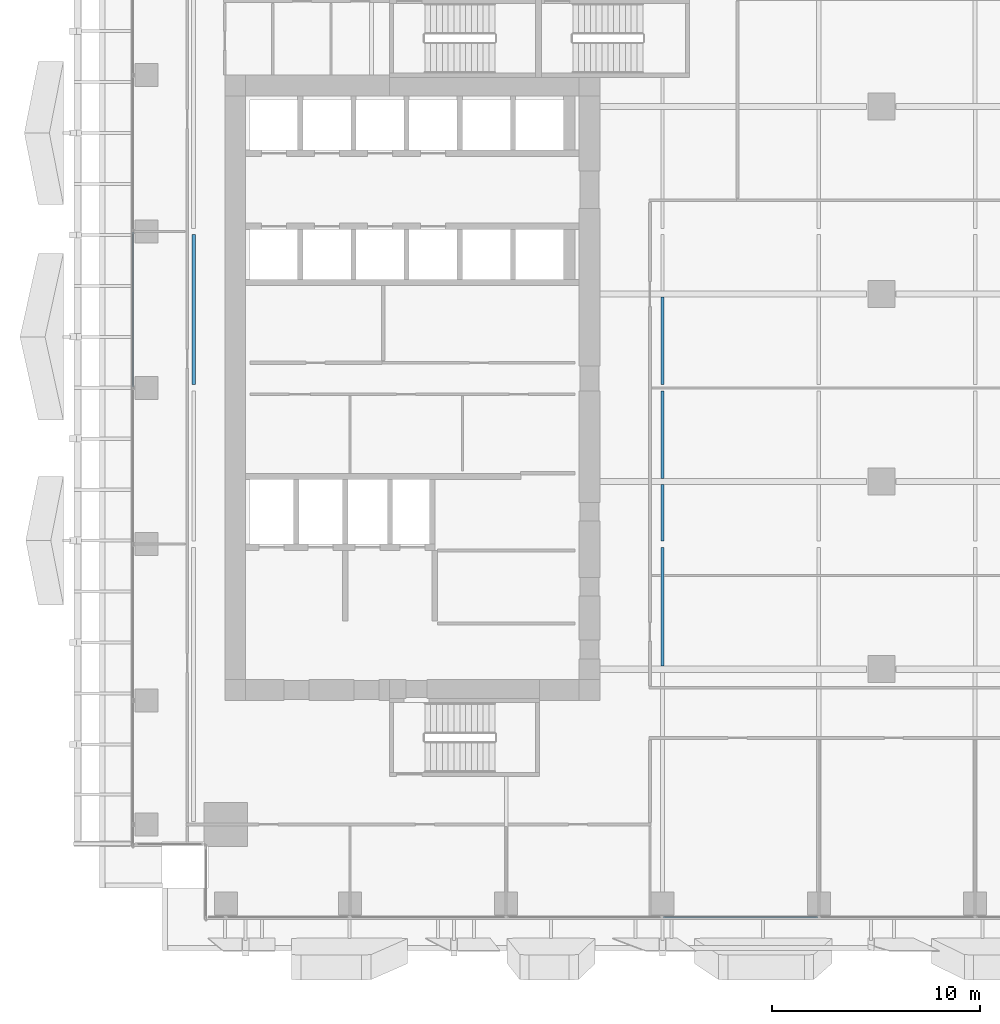
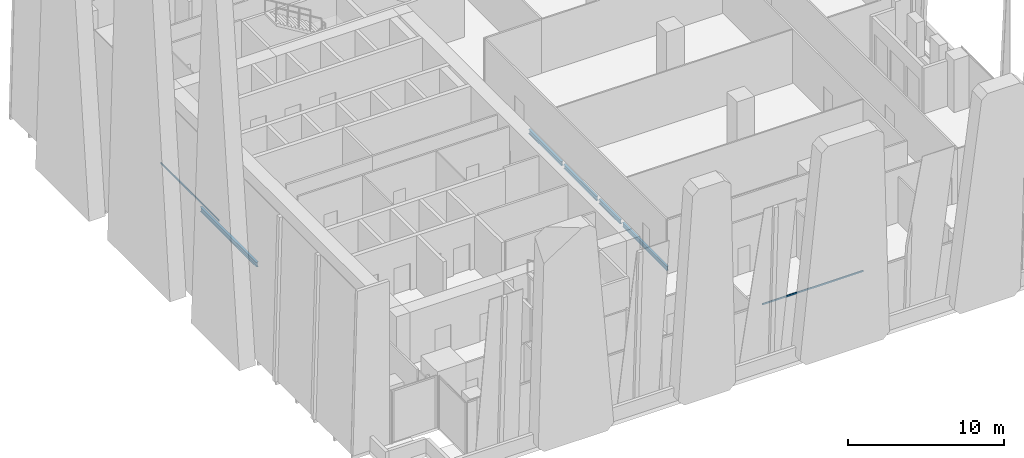
# One storey, part 6 of 37: 5 beams, 2 members, 2 elements without a shape of their own.
"""IFC4 building model written with IfcOpenShell, lengths in metres."""

from ifc_helpers import new_model, si_unit, direction, frame, origin, origin_2d, place, context, subcontext, project, spatial, hollow_rectangle, i_section, extrude, source, transform, mapped, material, material_profile, profile_set, type_object, element, aggregate, save


model = new_model("IFC4")

# Units and contexts
model_context = context("Model", 3, precision=1e-05, world=origin(), true_north=direction((0.0, 1.0)))
body_context = subcontext(model_context, "Body", "Model", "MODEL_VIEW")
ifc_project = project(units=[si_unit("LENGTHUNIT", "METRE"), si_unit("AREAUNIT", "SQUARE_METRE"), si_unit("VOLUMEUNIT", "CUBIC_METRE"), si_unit("PLANEANGLEUNIT", "RADIAN"), si_unit("MASSUNIT", "GRAM", prefix="KILO")], contexts=[model_context])

# Site, building, storey
site_placement = place(None, origin())
site = spatial("IfcSite", under=ifc_project, at=site_placement, CompositionType="ELEMENT")
building_placement = place(site_placement, origin())
building = spatial("IfcBuilding", under=site, at=building_placement, Name="Khomas Fold Tower", CompositionType="ELEMENT")
storey_placement = place(building_placement, frame((0.0, 0.0, 101.5)))
storey = spatial("IfcBuildingStorey", under=building, at=storey_placement, Name="L21", CompositionType="ELEMENT", Elevation=101.5)

# Beams
ifc_material_1 = material(Name="Steel S355", Category="steel")
ifc_material_profile_1 = material_profile(ifc_material_1, i_section(OverallWidth=0.169921875, OverallDepth=0.360107421875, WebThickness=0.008056640625, FlangeThickness=0.0126953125, at=origin_2d()), Name="IPE 360")
ifc_profile_set_1 = profile_set([ifc_material_profile_1], Name="Steel S355")
beam_type_1 = type_object("IfcBeamType", Name="IPE 360 beam JB2", PredefinedType="BEAM", material=ifc_profile_set_1)
shared_shape_1 = source(origin(), body_context, "Body", "SweptSolid", [
    extrude(i_section(OverallWidth=0.169921875, OverallDepth=0.360107421875, WebThickness=0.008056640625, FlangeThickness=0.0126953125, at=origin_2d()), origin(), (0.0, 0.0, 1.0), 7.19677734375),
])
beam_1_placement = place(storey_placement, frame((4.5, 27.151611328125, -0.47998046875), z_axis=(0.0, 1.0, 0.0), x_axis=(-1.0, 0.0, 0.0)))
element("IfcBeam", 1, at=beam_1_placement, inside=storey, type_object=beam_type_1, Name="JB2", PredefinedType="BEAM", context=body_context, shape_type="MappedRepresentation", body=[
    mapped(shared_shape_1, transform((0.0, 0.0, 0.0))),
])
ifc_material_2 = material(Name="Steel S355", Category="steel")
ifc_material_profile_2 = material_profile(ifc_material_2, i_section(OverallWidth=0.159912109375, OverallDepth=0.330078125, WebThickness=0.007568359375, FlangeThickness=0.011474609375, at=origin_2d()), Name="IPE 330")
ifc_profile_set_2 = profile_set([ifc_material_profile_2], Name="Steel S355")
beam_type_2 = type_object("IfcBeamType", Name="IPE 330 beam JB1", PredefinedType="BEAM", material=ifc_profile_set_2)
shared_shape_2 = source(origin(), body_context, "Body", "SweptSolid", [
    extrude(i_section(OverallWidth=0.159912109375, OverallDepth=0.330078125, WebThickness=0.007568359375, FlangeThickness=0.011474609375, at=origin_2d()), origin(), (0.0, 0.0, 1.0), 5.698486328125),
])
beam_2_placement = place(storey_placement, frame((27.0, 13.64990234375, -0.465087890625), z_axis=(0.0, 1.0, 0.0), x_axis=(-1.0, 0.0, 0.0)))
element("IfcBeam", 2, at=beam_2_placement, inside=storey, type_object=beam_type_2, Name="JB1", PredefinedType="BEAM", context=body_context, shape_type="MappedRepresentation", body=[
    mapped(shared_shape_2, transform((0.0, 0.0, 0.0))),
])
shared_shape_3 = source(origin(), body_context, "Body", "SweptSolid", [
    extrude(i_section(OverallWidth=0.159912109375, OverallDepth=0.330078125, WebThickness=0.007568359375, FlangeThickness=0.011474609375, at=origin_2d()), origin(), (0.0, 0.0, 1.0), 2.698486328125),
])
beam_3_placement = place(storey_placement, frame((27.0, 19.651611328125, -0.465087890625), z_axis=(0.0, 1.0, 0.0), x_axis=(-1.0, 0.0, 0.0)))
element("IfcBeam", 3, at=beam_3_placement, inside=storey, type_object=beam_type_2, Name="JB1", PredefinedType="BEAM", context=body_context, shape_type="MappedRepresentation", body=[
    mapped(shared_shape_3, transform((0.0, 0.0, 0.0))),
])
shared_shape_4 = source(origin(), body_context, "Body", "SweptSolid", [
    extrude(i_section(OverallWidth=0.159912109375, OverallDepth=0.330078125, WebThickness=0.007568359375, FlangeThickness=0.011474609375, at=origin_2d()), origin(), (0.0, 0.0, 1.0), 4.198486328125),
])
for number, where, z_axis, x_axis, name in (
    (4, (27.0, 22.64990234375, -0.465087890625), (0.0, 1.0, 0.0), (-1.0, 0.0, 0.0), "JB1"),
    (5, (27.0, 27.151611328125, -0.465087890625), (0.0, 1.0, 0.0), (-1.0, 0.0, 0.0), "JB1"),
):
    element("IfcBeam", number, at=place(storey_placement, frame(where, z_axis=z_axis, x_axis=x_axis)), inside=storey, type_object=beam_type_2, Name=name, PredefinedType="BEAM", context=body_context, shape_type="MappedRepresentation", body=[
        mapped(shared_shape_4, transform((0.0, 0.0, 0.0))),
    ])

# Curtain wall, member
ifc_material_3 = material(Name="Aluminium framed double glazing", Category="aluminium")
curtain_wall_type = type_object("IfcCurtainWallType", Name="SK-Unitised clear-glass wall, growing floors CW1", PredefinedType="NOTDEFINED", material=ifc_material_3)
curtain_wall_1_placement = place(storey_placement, origin())
curtain_wall_1 = element("IfcCurtainWall", 6, at=curtain_wall_1_placement, inside=storey, type_object=curtain_wall_type, Name="CW1 run L21 00-0", PredefinedType="NOTDEFINED")
ifc_material_4 = material(Name="Aluminium", Category="aluminium")
ifc_material_profile_3 = material_profile(ifc_material_4, hollow_rectangle(XDim=0.06005859375, YDim=0.1201171875, WallThickness=0.00390625, at=origin_2d()), Name="SK-Unitised clear-glass wall, growing floors transom CW1-T")
ifc_profile_set_3 = profile_set([ifc_material_profile_3], Name="Aluminium")
member_type = type_object("IfcMemberType", Name="SK-Unitised clear-glass wall, growing floors transom CW1-T", PredefinedType="USERDEFINED", material=ifc_profile_set_3)
shared_shape_5 = source(origin(), body_context, "Body", "SweptSolid", [
    extrude(hollow_rectangle(XDim=0.06005859375, YDim=0.1201171875, WallThickness=0.00390625, at=origin_2d()), origin(), (0.0, 0.0, 1.0), 7.43994140625),
])
member_1_placement = place(storey_placement, frame((27.030029296875, 1.60009765625, 4.0400390625), z_axis=(1.0, 0.0, 0.0), x_axis=(0.0, 1.0, 0.0)))
member_1 = element("IfcMember", 7, at=member_1_placement, type_object=member_type, Name="CW1 transom 5", ObjectType="TRANSOM", PredefinedType="USERDEFINED", context=body_context, shape_type="MappedRepresentation", body=[
    mapped(shared_shape_5, transform((0.0, 0.0, 0.0))),
])
aggregate(curtain_wall_1, [member_1])

curtain_wall_2_placement = place(storey_placement, origin())
curtain_wall_2 = element("IfcCurtainWall", 8, at=curtain_wall_2_placement, inside=storey, type_object=curtain_wall_type, Name="CW1 run L21 09-0", PredefinedType="NOTDEFINED")
member_2_placement = place(storey_placement, frame((1.60009765625, 34.469970703125, 4.0400390625), z_axis=(0.0, -1.0, 0.0), x_axis=(1.0, 0.0, 0.0)))
member_2 = element("IfcMember", 9, at=member_2_placement, type_object=member_type, Name="CW1 transom 4", ObjectType="TRANSOM", PredefinedType="USERDEFINED", context=body_context, shape_type="MappedRepresentation", body=[
    mapped(shared_shape_5, transform((0.0, 0.0, 0.0))),
])
aggregate(curtain_wall_2, [member_2])

save(model, "model.ifc")
